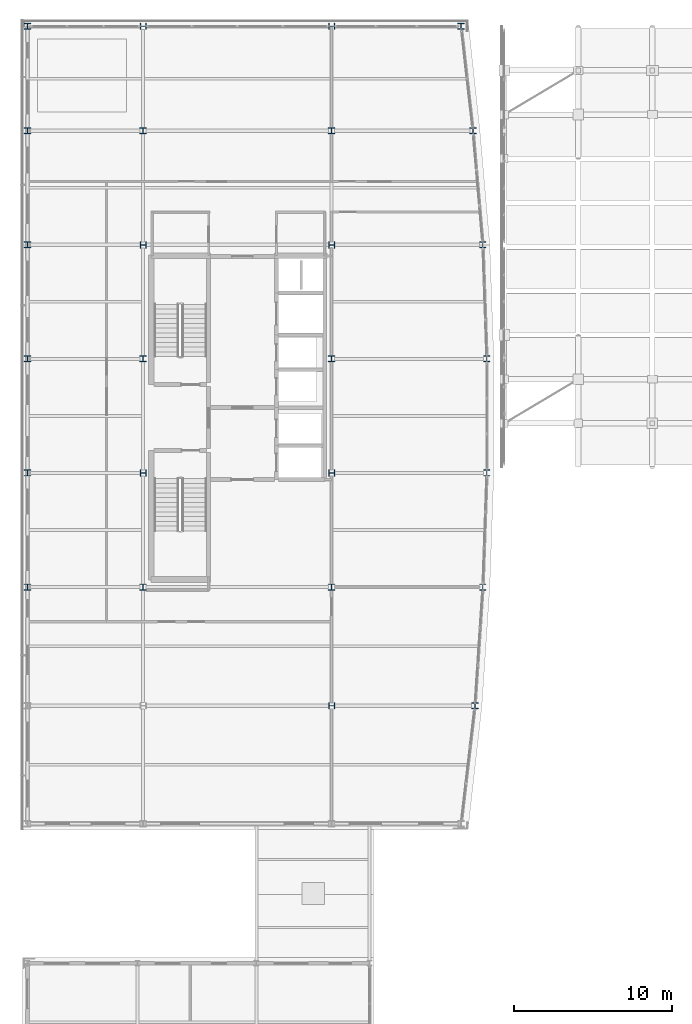
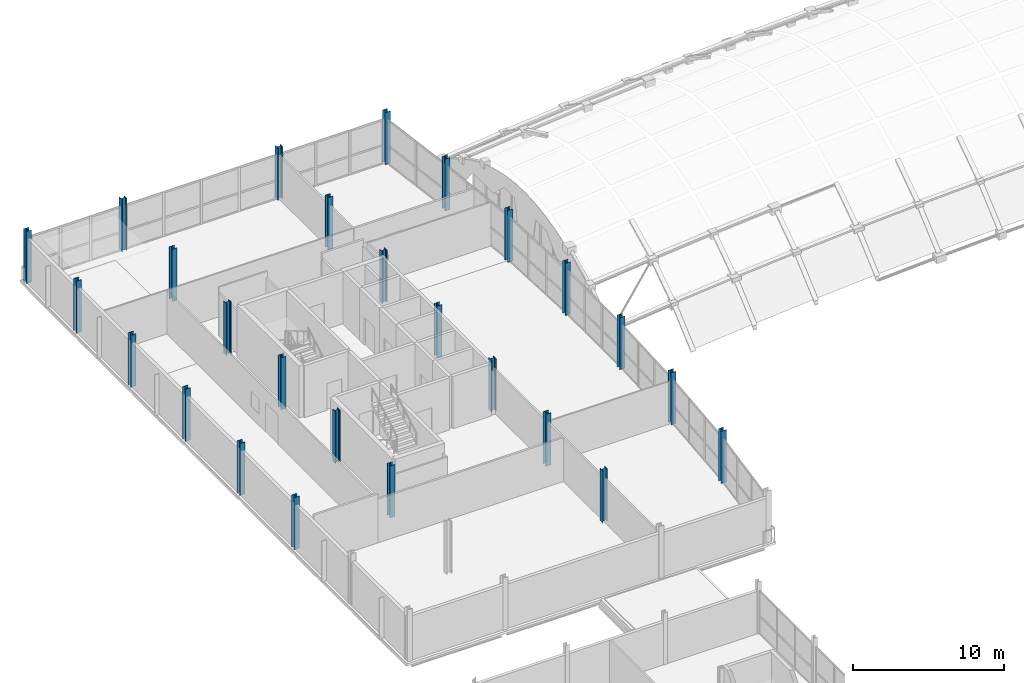
# One storey, part 3 of 65: 26 columns.
"""IFC4 building model written with IfcOpenShell, lengths in metres."""

from ifc_helpers import new_model, si_unit, direction, frame, origin, origin_2d, place, context, subcontext, project, spatial, i_section, extrude, material, material_profile, profile_set, type_object, element, save


model = new_model("IFC4")

# Units and contexts
model_context = context("Model", 3, precision=1e-05, world=origin(), true_north=direction((0.0, 1.0)))
body_context = subcontext(model_context, "Body", "Model", "MODEL_VIEW")
ifc_project = project(units=[si_unit("LENGTHUNIT", "METRE"), si_unit("AREAUNIT", "SQUARE_METRE"), si_unit("VOLUMEUNIT", "CUBIC_METRE"), si_unit("PLANEANGLEUNIT", "RADIAN"), si_unit("MASSUNIT", "GRAM", prefix="KILO")], contexts=[model_context])

# Site, building, storey
site_placement = place(None, origin())
site = spatial("IfcSite", under=ifc_project, at=site_placement, CompositionType="ELEMENT")
building_placement = place(site_placement, origin())
building = spatial("IfcBuilding", under=site, at=building_placement, Name="Quillay Park Conservatory", CompositionType="ELEMENT")
storey_placement = place(building_placement, frame((0.0, 0.0, 14.10009765625)))
storey = spatial("IfcBuildingStorey", under=building, at=storey_placement, Name="L03", CompositionType="ELEMENT", Elevation=14.10009765625)

# Columns
ifc_material = material(Name="Steel ASTM A992 Grade 50", Category="steel")
ifc_material_profile = material_profile(ifc_material, i_section(OverallWidth=0.39501953125, OverallDepth=0.3798828125, WebThickness=0.018798828125, FlangeThickness=0.0302734375, FilletRadius=0.014892578125, at=origin_2d()), Name="W360x237")
ifc_profile_set = profile_set([ifc_material_profile], Name="Steel ASTM A992 Grade 50")
column_type = type_object("IfcColumnType", Name="COMPOSITE STEEL COLUMN W360 X237", PredefinedType="COLUMN", material=ifc_profile_set)
for number, where, z_axis, x_axis, name in (
    (1, (19.75, 70.5, 0.0), (0.0, 0.0, 1.0), (0.0, 1.0, 0.0), "L03 column COL-V4-L03-1-2"),
    (2, (28.800048828125, 70.5, 0.0), (0.0, 0.0, 1.0), (1.0, 0.0, 0.0), "L03 column COL-V4-L03-1-3"),
    (3, (0.550048828125, 78.0, 0.0), (0.0, 0.0, 1.0), (1.0, 0.0, 0.0), "L03 column COL-V4-L03-2-0"),
    (4, (7.85009765625, 78.0, 0.0), (0.0, 0.0, 1.0), (1.0, 0.0, 0.0), "L03 column COL-V4-L03-2-1"),
    (5, (19.75, 78.0, 0.0), (0.0, 0.0, 1.0), (1.0, 0.0, 0.0), "L03 column COL-V4-L03-2-2"),
    (6, (29.300048828125, 78.0, 0.0), (0.0, 0.0, 1.0), (1.0, 0.0, 0.0), "L03 column COL-V4-L03-2-3"),
    (7, (0.550048828125, 85.199951171875, 0.0), (0.0, 0.0, 1.0), (1.0, 0.0, 0.0), "L03 column COL-V4-L03-3-0"),
    (8, (7.85009765625, 85.199951171875, 0.0), (0.0, 0.0, 1.0), (0.0, 1.0, 0.0), "L03 column COL-V4-L03-3-1"),
    (9, (19.75, 85.199951171875, 0.0), (0.0, 0.0, 1.0), (0.0, 1.0, 0.0), "L03 column COL-V4-L03-3-2"),
    (10, (29.550048828125, 85.199951171875, 0.0), (0.0, 0.0, 1.0), (1.0, 0.0, 0.0), "L03 column COL-V4-L03-3-3"),
    (11, (0.550048828125, 92.39990234375, 0.0), (0.0, 0.0, 1.0), (1.0, 0.0, 0.0), "L03 column COL-V4-L03-4-0"),
    (12, (7.85009765625, 92.39990234375, 0.0), (0.0, 0.0, 1.0), (1.0, 0.0, 0.0), "L03 column COL-V4-L03-4-1"),
    (13, (19.75, 92.39990234375, 0.0), (0.0, 0.0, 1.0), (1.0, 0.0, 0.0), "L03 column COL-V4-L03-4-2"),
    (14, (29.550048828125, 92.39990234375, 0.0), (0.0, 0.0, 1.0), (1.0, 0.0, 0.0), "L03 column COL-V4-L03-4-3"),
    (15, (0.550048828125, 99.60009765625, 0.0), (0.0, 0.0, 1.0), (1.0, 0.0, 0.0), "L03 column COL-V4-L03-5-0"),
    (16, (7.85009765625, 99.60009765625, 0.0), (0.0, 0.0, 1.0), (0.0, 1.0, 0.0), "L03 column COL-V4-L03-5-1"),
    (17, (19.75, 99.60009765625, 0.0), (0.0, 0.0, 1.0), (0.0, 1.0, 0.0), "L03 column COL-V4-L03-5-2"),
    (18, (29.300048828125, 99.60009765625, 0.0), (0.0, 0.0, 1.0), (1.0, 0.0, 0.0), "L03 column COL-V4-L03-5-3"),
    (19, (0.550048828125, 106.800048828125, 0.0), (0.0, 0.0, 1.0), (1.0, 0.0, 0.0), "L03 column COL-V4-L03-6-0"),
    (20, (7.85009765625, 106.800048828125, 0.0), (0.0, 0.0, 1.0), (1.0, 0.0, 0.0), "L03 column COL-V4-L03-6-1"),
    (21, (19.75, 106.800048828125, 0.0), (0.0, 0.0, 1.0), (1.0, 0.0, 0.0), "L03 column COL-V4-L03-6-2"),
    (22, (28.675048828125, 106.800048828125, 0.0), (0.0, 0.0, 1.0), (1.0, 0.0, 0.0), "L03 column COL-V4-L03-6-3"),
    (23, (0.550048828125, 113.39990234375, 0.0), (0.0, 0.0, 1.0), (1.0, 0.0, 0.0), "L03 column COL-V4-L03-7-0"),
    (24, (7.85009765625, 113.39990234375, 0.0), (0.0, 0.0, 1.0), (0.0, 1.0, 0.0), "L03 column COL-V4-L03-7-1"),
    (25, (19.75, 113.39990234375, 0.0), (0.0, 0.0, 1.0), (0.0, 1.0, 0.0), "L03 column COL-V4-L03-7-2"),
    (26, (27.925048828125, 113.39990234375, 0.0), (0.0, 0.0, 1.0), (1.0, 0.0, 0.0), "L03 column COL-V4-L03-7-3"),
):
    element("IfcColumn", number, at=place(storey_placement, frame(where, z_axis=z_axis, x_axis=x_axis)), inside=storey, type_object=column_type, Name=name, PredefinedType="COLUMN", context=body_context, shape_type="SweptSolid", body=[
        extrude(i_section(OverallWidth=0.39501953125, OverallDepth=0.3798828125, WebThickness=0.018798828125, FlangeThickness=0.0302734375, FilletRadius=0.014892578125, at=origin_2d()), origin(), (0.0, 0.0, 1.0), 4.199951171875),
    ])

save(model, "model.ifc")
